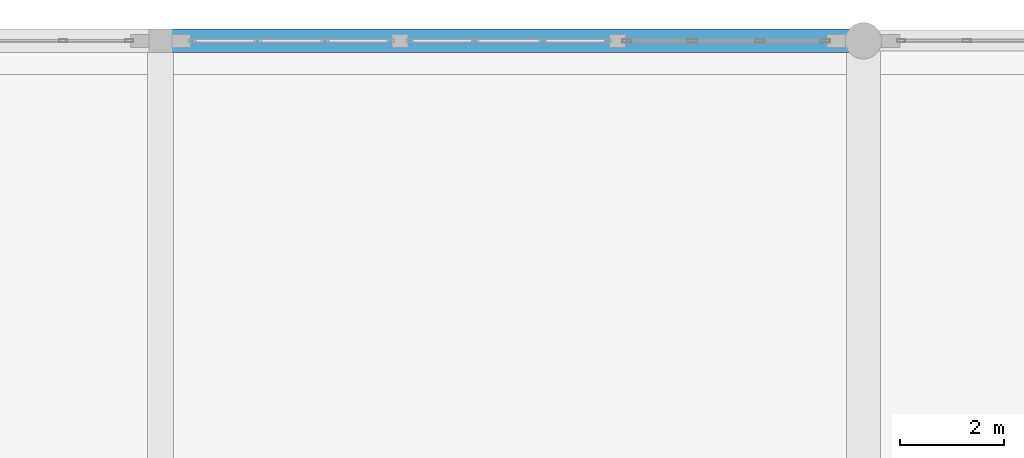
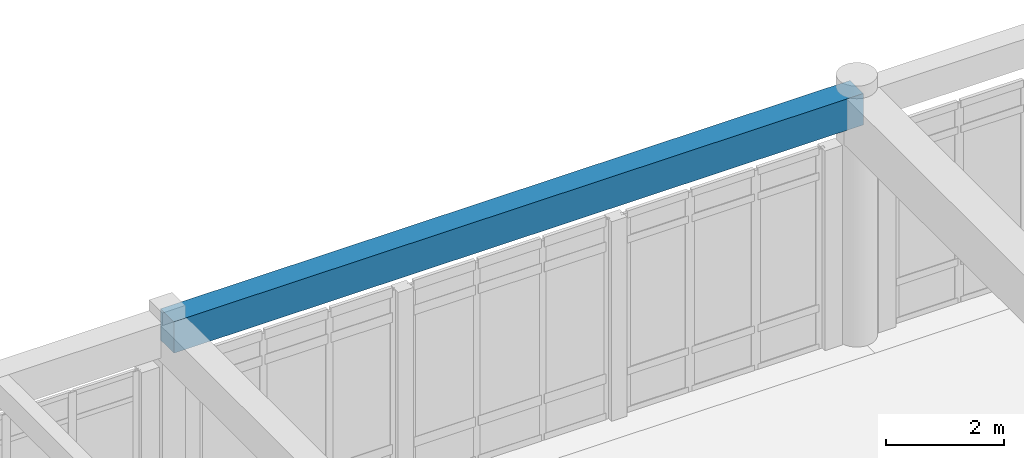
# One storey, part 55 of 138: 1 beam.
"""IFC4 building model written with IfcOpenShell, lengths in metres."""

from ifc_helpers import new_model, si_unit, direction, frame, origin, origin_2d, place, context, subcontext, project, spatial, rectangle, extrude, material, material_profile, profile_set, type_object, element, save


model = new_model("IFC4")

# Units and contexts
model_context = context("Model", 3, precision=1e-05, world=origin(), true_north=direction((0.0, 1.0)))
body_context = subcontext(model_context, "Body", "Model", "MODEL_VIEW")
ifc_project = project(units=[si_unit("LENGTHUNIT", "METRE"), si_unit("AREAUNIT", "SQUARE_METRE"), si_unit("VOLUMEUNIT", "CUBIC_METRE"), si_unit("PLANEANGLEUNIT", "RADIAN"), si_unit("MASSUNIT", "GRAM", prefix="KILO")], contexts=[model_context])

# Site, building, storey
site_placement = place(None, origin())
site = spatial("IfcSite", under=ifc_project, at=site_placement, CompositionType="ELEMENT")
building_placement = place(site_placement, origin())
building = spatial("IfcBuilding", under=site, at=building_placement, Name="Fikremerkos Civic Library", CompositionType="ELEMENT")
storey_placement = place(building_placement, origin())
storey = spatial("IfcBuildingStorey", under=building, at=storey_placement, Name="L00", CompositionType="ELEMENT", Elevation=0.0)

# Beam
ifc_material = material(Name="Concrete C40/50", Category="concrete")
ifc_material_profile = material_profile(ifc_material, rectangle(XDim=0.449951171875, YDim=0.64990234375, at=origin_2d()), Name="RC 450x650")
ifc_profile_set = profile_set([ifc_material_profile], Name="Concrete C40/50")
beam_type = type_object("IfcBeamType", Name="Primary girder BM-07 RC 450x650", PredefinedType="BEAM", material=ifc_profile_set)
beam_placement = place(storey_placement, frame((73.199951171875, 117.60009765625, 4.81494140625), z_axis=(1.0, 0.0, 0.0), x_axis=(0.0, 1.0, 0.0)))
element("IfcBeam", 1, at=beam_placement, inside=storey, type_object=beam_type, Name="Primary girder BM-07 L00 grid N", PredefinedType="BEAM", context=body_context, shape_type="SweptSolid", body=[
    extrude(rectangle(XDim=0.449951171875, YDim=0.64990234375, at=origin_2d()), origin(), (0.0, 0.0, 1.0), 13.5),
])

save(model, "model.ifc")
